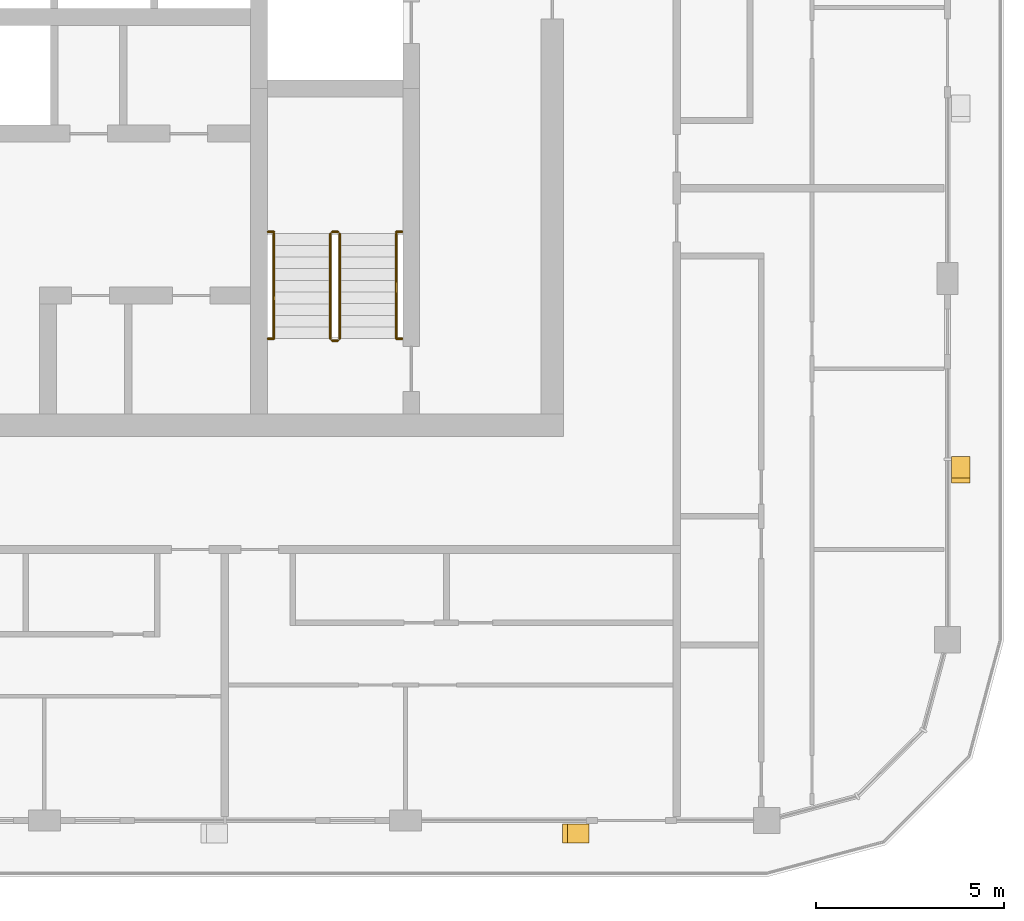
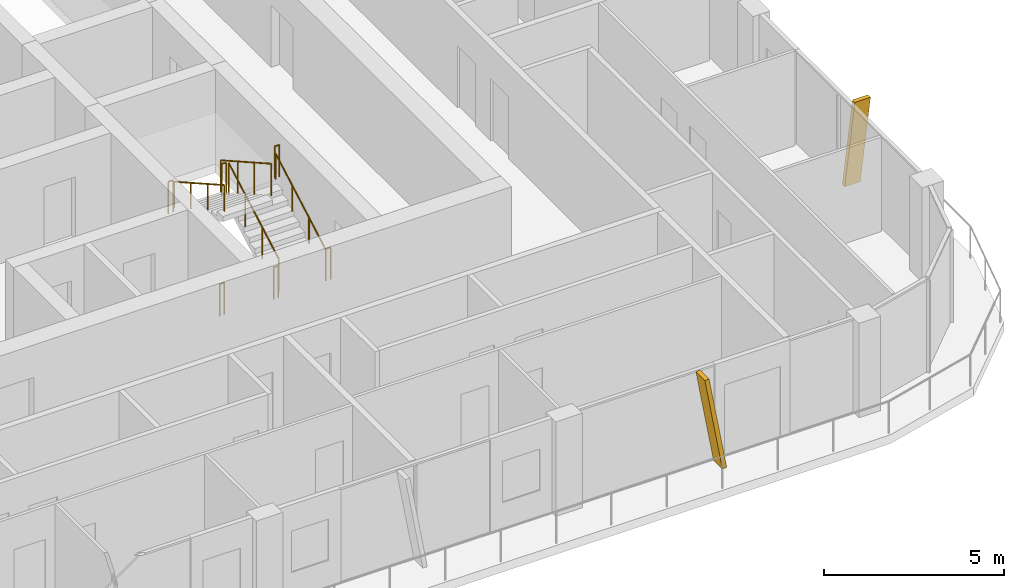
# One storey, part 19 of 22: 10 railings, 2 shading devices.
"""IFC4 building model written with IfcOpenShell, lengths in metres."""

from ifc_helpers import new_model, si_unit, direction, frame, origin, origin_2d, place, context, subcontext, project, spatial, polyline, circle, outline, extrude, material, type_object, element, save


model = new_model("IFC4")

# Units and contexts
model_context = context("Model", 3, precision=1e-05, world=origin(), true_north=direction((0.0, 1.0)))
body_context = subcontext(model_context, "Body", "Model", "MODEL_VIEW")
ifc_project = project(units=[si_unit("LENGTHUNIT", "METRE"), si_unit("AREAUNIT", "SQUARE_METRE"), si_unit("VOLUMEUNIT", "CUBIC_METRE"), si_unit("PLANEANGLEUNIT", "RADIAN"), si_unit("MASSUNIT", "GRAM", prefix="KILO")], contexts=[model_context])

# Site, building, storey
site_placement = place(None, origin())
site = spatial("IfcSite", under=ifc_project, at=site_placement, CompositionType="ELEMENT")
building_placement = place(site_placement, origin())
building = spatial("IfcBuilding", under=site, at=building_placement, Name="Madar Terraces", CompositionType="ELEMENT")
storey_placement = place(building_placement, frame((0.0, 0.0, 256.199951171875)))
storey = spatial("IfcBuildingStorey", under=building, at=storey_placement, Name="L67", CompositionType="ELEMENT", Elevation=256.199951171875)

# Shading devices
ifc_material_1 = material(Name="Aluminium, black anodised", Category="aluminium")
shading_device_type = type_object("IfcShadingDeviceType", Name="Facade fin blade 140 x 500", PredefinedType="USERDEFINED", material=ifc_material_1)
shading_device_1_placement = place(storey_placement, frame((47.929931640625, 4.449951171875, 0.0), z_axis=(0.0, 0.0, 1.0), x_axis=(1.0, 0.0, 0.0)))
element("IfcShadingDevice", 1, at=shading_device_1_placement, inside=storey, type_object=shading_device_type, Name="FIN L67 S5", ObjectType="FIN", PredefinedType="USERDEFINED", context=body_context, shape_type="SweptSolid", body=[
    extrude(outline(polyline([(0.0, 0.0), (0.14013671875, 0.0), (-0.42431640625, 3.199951171875), (-0.564208984375, 3.199951171875), (0.0, 0.0)])), frame((0.0, 0.25, 0.0), z_axis=(0.0, -1.0, 0.0), x_axis=(1.0, 0.0, 0.0)), (0.0, 0.0, 1.0), 0.5),
])
shading_device_2_placement = place(storey_placement, frame((57.949951171875, 14.330078125, 0.0), z_axis=(0.0, 0.0, 1.0), x_axis=(0.0, 1.0, 0.0)))
element("IfcShadingDevice", 2, at=shading_device_2_placement, inside=storey, type_object=shading_device_type, Name="FIN L67 E1", ObjectType="FIN", PredefinedType="USERDEFINED", context=body_context, shape_type="SweptSolid", body=[
    extrude(outline(polyline([(0.0, 0.0), (0.139892578125, 0.0), (-0.42431640625, 3.199951171875), (-0.564208984375, 3.199951171875), (0.0, 0.0)])), frame((0.0, 0.25, 0.0), z_axis=(0.0, -1.0, 0.0), x_axis=(1.0, 0.0, 0.0)), (0.0, 0.0, 1.0), 0.5),
])

# Railings
ifc_material_2 = material(Name="Stainless steel railing", Category="steel")
railing_type_1 = type_object("IfcRailingType", Name="Stair guard 1100", PredefinedType="GUARDRAIL", material=ifc_material_2)
railing_1_placement = place(storey_placement, frame((41.449951171875, 17.60009765625, 0.175048828125)))
element("IfcRailing", 3, at=railing_1_placement, inside=storey, type_object=railing_type_1, Name="L67 ST3 stair guard 1", PredefinedType="GUARDRAIL", context=body_context, shape_type="SweptSolid", body=[
    extrude(circle(Radius=0.02392578125, at=origin_2d()), frame((0.0, 0.0, 1.076171875), z_axis=(0.0, 0.870815363784, 0.491610213684), x_axis=(-1.0, 0.0, 0.0)), (0.0, 0.0, 1.0), 3.20361328125),
    extrude(circle(Radius=0.02099609375, at=origin_2d()), origin(), (0.0, 0.0, 1.0), 1.052001953125),
    extrude(circle(Radius=0.02099609375, at=origin_2d()), frame((0.0, 0.929931640625, 0.52490234375)), (0.0, 0.0, 1.0), 1.052001953125),
    extrude(circle(Radius=0.02099609375, at=origin_2d()), frame((0.0, 1.85986328125, 1.050048828125)), (0.0, 0.0, 1.0), 1.052001953125),
    extrude(circle(Radius=0.02099609375, at=origin_2d()), frame((0.0, 2.789794921875, 1.574951171875)), (0.0, 0.0, 1.0), 1.052001953125),
])
railing_2_placement = place(storey_placement, frame((41.39990234375, 20.43994140625, 1.75)))
element("IfcRailing", 4, at=railing_2_placement, inside=storey, type_object=railing_type_1, Name="L67 ST3 stair guard 2", PredefinedType="GUARDRAIL", context=body_context, shape_type="SweptSolid", body=[
    extrude(circle(Radius=0.02392578125, at=origin_2d()), frame((0.0, 0.0, 1.076171875), z_axis=(-1.0, 0.0, 0.0), x_axis=(0.0, -1.0, 0.0)), (0.0, 0.0, 1.0), 0.14990234375),
    extrude(circle(Radius=0.02099609375, at=origin_2d()), origin(), (0.0, 0.0, 1.0), 1.052001953125),
    extrude(circle(Radius=0.02099609375, at=origin_2d()), frame((-0.14990234375, 0.0, 0.0)), (0.0, 0.0, 1.0), 1.052001953125),
])
railing_3_placement = place(storey_placement, frame((41.199951171875, 20.389892578125, 1.925048828125)))
element("IfcRailing", 5, at=railing_3_placement, inside=storey, type_object=railing_type_1, Name="L67 ST3 stair guard 3", PredefinedType="GUARDRAIL", context=body_context, shape_type="SweptSolid", body=[
    extrude(circle(Radius=0.02392578125, at=origin_2d()), frame((0.0, 0.0, 1.076171875), z_axis=(0.0, -0.870815363784, 0.491610213684), x_axis=(1.0, 0.0, 0.0)), (0.0, 0.0, 1.0), 3.20361328125),
    extrude(circle(Radius=0.02099609375, at=origin_2d()), origin(), (0.0, 0.0, 1.0), 1.052001953125),
    extrude(circle(Radius=0.02099609375, at=origin_2d()), frame((0.0, -0.929931640625, 0.52490234375)), (0.0, 0.0, 1.0), 1.052001953125),
    extrude(circle(Radius=0.02099609375, at=origin_2d()), frame((0.0, -1.85986328125, 1.050048828125)), (0.0, 0.0, 1.0), 1.052001953125),
    extrude(circle(Radius=0.02099609375, at=origin_2d()), frame((0.0, -2.789794921875, 1.574951171875)), (0.0, 0.0, 1.0), 1.052001953125),
])
railing_4_placement = place(storey_placement, frame((41.39990234375, 17.550048828125, 0.0)))
element("IfcRailing", 6, at=railing_4_placement, inside=storey, type_object=railing_type_1, Name="L67 ST3 stair guard 4", PredefinedType="GUARDRAIL", context=body_context, shape_type="SweptSolid", body=[
    extrude(circle(Radius=0.02392578125, at=origin_2d()), frame((0.0, 0.0, 1.076171875), z_axis=(-1.0, 0.0, 0.0), x_axis=(0.0, -1.0, 0.0)), (0.0, 0.0, 1.0), 0.14990234375),
    extrude(circle(Radius=0.02099609375, at=origin_2d()), origin(), (0.0, 0.0, 1.0), 1.052001953125),
    extrude(circle(Radius=0.02099609375, at=origin_2d()), frame((-0.14990234375, 0.0, 0.0)), (0.0, 0.0, 1.0), 1.052001953125),
])
for number, where, name in (
    (7, (39.544921875, 20.43994140625, 1.75), "L67 stair guard seat 1"),
    (8, (42.949951171875, 20.43994140625, 1.75), "L67 stair guard seat 2"),
    (9, (39.544921875, 17.60009765625, 0.0), "L67 stair guard floor 1"),
    (10, (42.949951171875, 17.60009765625, 0.0), "L67 stair guard floor 2"),
):
    element("IfcRailing", number, at=place(storey_placement, frame(where)), inside=storey, type_object=railing_type_1, Name=name, PredefinedType="GUARDRAIL", context=body_context, shape_type="SweptSolid", body=[
        extrude(circle(Radius=0.02392578125, at=origin_2d()), frame((0.0, 0.0, 1.076171875), z_axis=(1.0, 0.0, 0.0), x_axis=(0.0, 1.0, 0.0)), (0.0, 0.0, 1.0), 0.155029296875),
        extrude(circle(Radius=0.02099609375, at=origin_2d()), origin(), (0.0, 0.0, 1.0), 1.052001953125),
        extrude(circle(Radius=0.02099609375, at=origin_2d()), frame((0.155029296875, 0.0, 0.0)), (0.0, 0.0, 1.0), 1.052001953125),
    ])
ifc_material_3 = material(Name="Stainless steel railing", Category="steel")
railing_type_2 = type_object("IfcRailingType", Name="Stair handrail 900", PredefinedType="HANDRAIL", material=ifc_material_3)
railing_5_placement = place(storey_placement, frame((42.949951171875, 17.60009765625, 0.175048828125)))
element("IfcRailing", 11, at=railing_5_placement, inside=storey, type_object=railing_type_2, Name="L67 ST3 stair handrail 1", PredefinedType="HANDRAIL", context=body_context, shape_type="SweptSolid", body=[
    extrude(circle(Radius=0.02392578125, at=origin_2d()), frame((0.0, 0.0, 0.8759765625), z_axis=(0.0, 0.870815363784, 0.491610213684), x_axis=(-1.0, 0.0, 0.0)), (0.0, 0.0, 1.0), 3.20361328125),
    extrude(circle(Radius=0.02099609375, at=origin_2d()), origin(), (0.0, 0.0, 1.0), 0.851806640625),
    extrude(circle(Radius=0.02099609375, at=origin_2d()), frame((0.0, 0.929931640625, 0.52490234375)), (0.0, 0.0, 1.0), 0.851806640625),
    extrude(circle(Radius=0.02099609375, at=origin_2d()), frame((0.0, 1.85986328125, 1.050048828125)), (0.0, 0.0, 1.0), 0.851806640625),
    extrude(circle(Radius=0.02099609375, at=origin_2d()), frame((0.0, 2.789794921875, 1.574951171875)), (0.0, 0.0, 1.0), 0.851806640625),
])
railing_6_placement = place(storey_placement, frame((39.699951171875, 20.389892578125, 1.925048828125)))
element("IfcRailing", 12, at=railing_6_placement, inside=storey, type_object=railing_type_2, Name="L67 ST3 stair handrail 2", PredefinedType="HANDRAIL", context=body_context, shape_type="SweptSolid", body=[
    extrude(circle(Radius=0.02392578125, at=origin_2d()), frame((0.0, 0.0, 0.8759765625), z_axis=(0.0, -0.870815363784, 0.491610213684), x_axis=(1.0, 0.0, 0.0)), (0.0, 0.0, 1.0), 3.20361328125),
    extrude(circle(Radius=0.02099609375, at=origin_2d()), origin(), (0.0, 0.0, 1.0), 0.851806640625),
    extrude(circle(Radius=0.02099609375, at=origin_2d()), frame((0.0, -0.929931640625, 0.52490234375)), (0.0, 0.0, 1.0), 0.851806640625),
    extrude(circle(Radius=0.02099609375, at=origin_2d()), frame((0.0, -1.85986328125, 1.050048828125)), (0.0, 0.0, 1.0), 0.851806640625),
    extrude(circle(Radius=0.02099609375, at=origin_2d()), frame((0.0, -2.789794921875, 1.574951171875)), (0.0, 0.0, 1.0), 0.851806640625),
])

save(model, "model.ifc")
